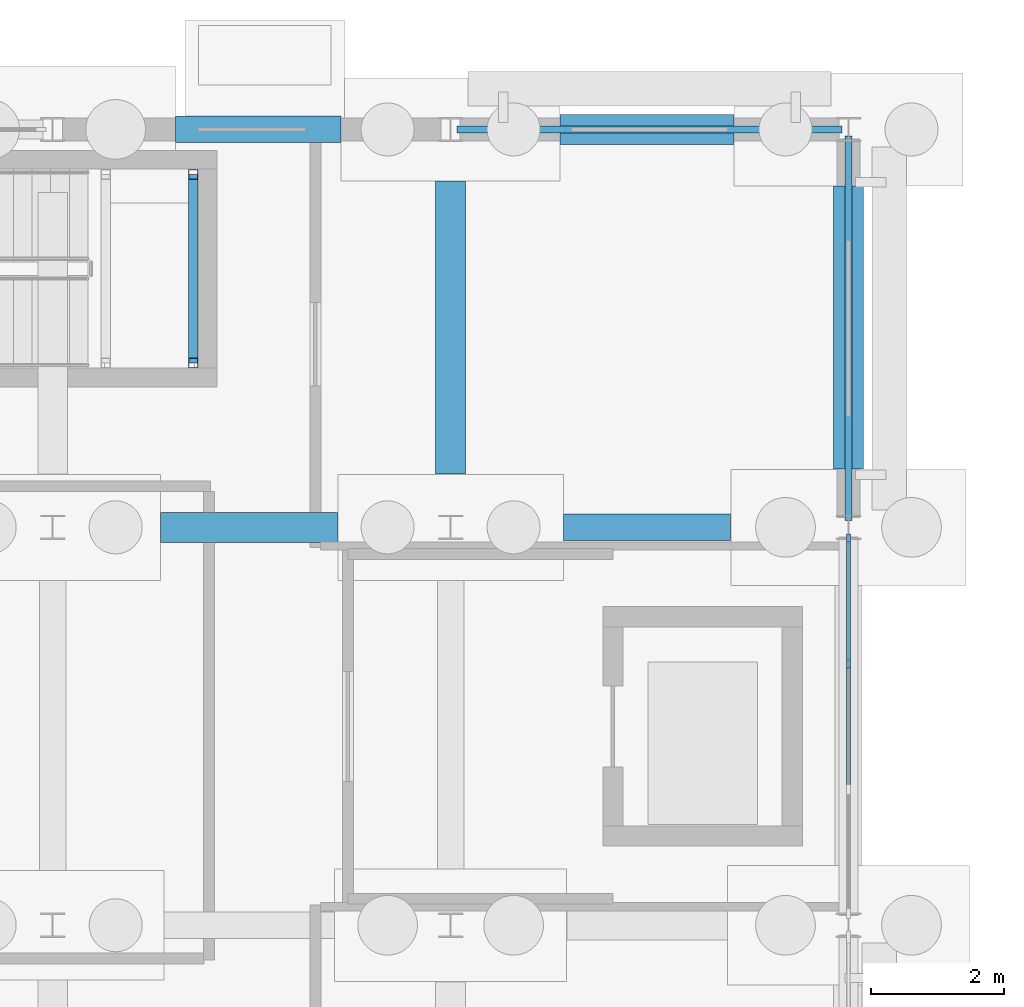
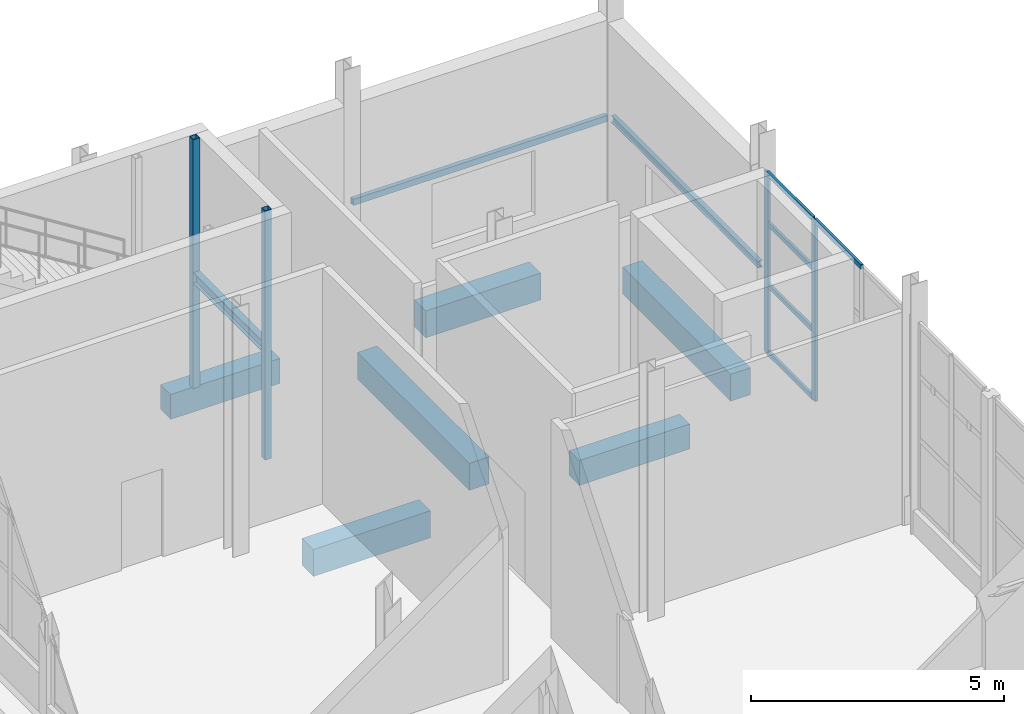
# One storey, part 52 of 120: 9 beams, 9 members, 1 element without a shape of its own.
"""IFC4 building model written with IfcOpenShell, lengths in metres."""

from ifc_helpers import new_model, si_unit, direction, frame, origin, origin_2d, place, context, subcontext, project, spatial, rectangle, hollow_rectangle, i_section, extrude, material, material_profile, profile_set, type_object, element, aggregate, save


model = new_model("IFC4")

# Units and contexts
model_context = context("Model", 3, precision=1e-05, world=origin(), true_north=direction((0.0, 1.0)))
body_context = subcontext(model_context, "Body", "Model", "MODEL_VIEW")
ifc_project = project(units=[si_unit("LENGTHUNIT", "METRE"), si_unit("AREAUNIT", "SQUARE_METRE"), si_unit("VOLUMEUNIT", "CUBIC_METRE"), si_unit("PLANEANGLEUNIT", "RADIAN"), si_unit("MASSUNIT", "GRAM", prefix="KILO")], contexts=[model_context])

# Site, building, storey
site_placement = place(None, origin())
site = spatial("IfcSite", under=ifc_project, at=site_placement, CompositionType="ELEMENT")
building_placement = place(site_placement, origin())
building = spatial("IfcBuilding", under=site, at=building_placement, Name="Siltcreek Boulevard Central Fire Station", CompositionType="ELEMENT")
storey_placement = place(building_placement, origin())
storey = spatial("IfcBuildingStorey", under=building, at=storey_placement, Name="L01", CompositionType="ELEMENT", Elevation=0.0)

# Members
ifc_material_1 = material(Name="Structural steel ASTM A500 GrC", Category="steel")
ifc_material_profile_1 = material_profile(ifc_material_1, hollow_rectangle(XDim=0.14990234375, YDim=0.14990234375, WallThickness=0.008056640625, at=origin_2d()), Name="HSS150X150X8.0")
ifc_profile_set_1 = profile_set([ifc_material_profile_1], Name="Structural steel ASTM A500 GrC")
member_type_1 = type_object("IfcMemberType", Name="BR_HSS150_8", PredefinedType="BRACE", material=ifc_profile_set_1)
for number, where, z_axis, x_axis, name in (
    (1, (50.1201171875, 108.679931640625, 0.0), (0.0, 0.0, 1.0), (1.0, 0.0, 0.0), "L01 ST-V3B stair landing corner post SE"),
    (2, (50.1201171875, 111.52001953125, 0.0), (0.0, 0.0, 1.0), (1.0, 0.0, 0.0), "L01 ST-V3B stair landing corner post NE"),
):
    element("IfcMember", number, at=place(storey_placement, frame(where, z_axis=z_axis, x_axis=x_axis)), inside=storey, type_object=member_type_1, Name=name, PredefinedType="BRACE", context=body_context, shape_type="SweptSolid", body=[
        extrude(hollow_rectangle(XDim=0.14990234375, YDim=0.14990234375, WallThickness=0.008056640625, at=origin_2d()), origin(), (0.0, 0.0, 1.0), 6.0),
    ])

# Curtain wall, members
ifc_material_2 = material(Name="Anodized aluminum and low-E insulated glazing", Category="aluminium")
curtain_wall_type = type_object("IfcCurtainWallType", Name="CW_SYS_04", PredefinedType="USERDEFINED", material=ifc_material_2)
curtain_wall_placement = place(storey_placement, origin())
curtain_wall = element("IfcCurtainWall", 3, at=curtain_wall_placement, inside=storey, type_object=curtain_wall_type, Name="L01 V3 unitised curtain wall CW-033", ObjectType="CURTAIN WALL", PredefinedType="USERDEFINED")
ifc_material_3 = material(Name="Anodized 6063-T6 aluminum framing", Category="aluminium")
ifc_material_profile_2 = material_profile(ifc_material_3, rectangle(XDim=0.06005859375, YDim=0.14990234375, at=origin_2d()), Name="MULL60X150")
ifc_profile_set_2 = profile_set([ifc_material_profile_2], Name="Anodized 6063-T6 aluminum framing")
member_type_2 = type_object("IfcMemberType", Name="CWM_60X150", PredefinedType="MULLION", material=ifc_profile_set_2)
member_1_placement = place(storey_placement, frame((60.0, 104.151611328125, 0.679931640625), z_axis=(0.0, 0.0, 1.0), x_axis=(-1.0, 0.0, 0.0)))
member_1 = element("IfcMember", 4, at=member_1_placement, type_object=member_type_2, Name="CW-033 mullion 3", PredefinedType="MULLION", context=body_context, shape_type="SweptSolid", body=[
    extrude(rectangle(XDim=0.06005859375, YDim=0.14990234375, at=origin_2d()), origin(), (0.0, 0.0, 1.0), 4.364013671875),
])
member_2_placement = place(storey_placement, frame((60.0, 106.02490234375, 0.679931640625), z_axis=(0.0, 0.0, 1.0), x_axis=(-1.0, 0.0, 0.0)))
member_2 = element("IfcMember", 5, at=member_2_placement, type_object=member_type_2, Name="CW-033 mullion 4", PredefinedType="MULLION", context=body_context, shape_type="SweptSolid", body=[
    extrude(rectangle(XDim=0.06005859375, YDim=0.14990234375, at=origin_2d()), origin(), (0.0, 0.0, 1.0), 4.364013671875),
])
ifc_material_profile_3 = material_profile(ifc_material_3, rectangle(XDim=0.06005859375, YDim=0.114990234375, at=origin_2d()), Name="TRAN60X115")
ifc_profile_set_3 = profile_set([ifc_material_profile_3], Name="Anodized 6063-T6 aluminum framing")
member_type_3 = type_object("IfcMemberType", Name="CWT_60X115", PredefinedType="USERDEFINED", material=ifc_profile_set_3)
member_3_placement = place(storey_placement, frame((60.0, 102.2783203125, 5.013916015625), z_axis=(0.0, 1.0, 0.0), x_axis=(-1.0, 0.0, 0.0)))
member_3 = element("IfcMember", 6, at=member_3_placement, type_object=member_type_3, Name="CW-033 transom 2.4", ObjectType="TRANSOM", PredefinedType="USERDEFINED", context=body_context, shape_type="SweptSolid", body=[
    extrude(rectangle(XDim=0.06005859375, YDim=0.114990234375, at=origin_2d()), origin(), (0.0, 0.0, 1.0), 1.84326171875),
])
member_4_placement = place(storey_placement, frame((60.0, 104.181640625, 0.7099609375), z_axis=(0.0, 1.0, 0.0), x_axis=(-1.0, 0.0, 0.0)))
member_4 = element("IfcMember", 7, at=member_4_placement, type_object=member_type_3, Name="CW-033 transom 3.1", ObjectType="TRANSOM", PredefinedType="USERDEFINED", context=body_context, shape_type="SweptSolid", body=[
    extrude(rectangle(XDim=0.06005859375, YDim=0.114990234375, at=origin_2d()), origin(), (0.0, 0.0, 1.0), 1.8134765625),
])
member_5_placement = place(storey_placement, frame((60.0, 104.181640625, 2.33837890625), z_axis=(0.0, 1.0, 0.0), x_axis=(-1.0, 0.0, 0.0)))
member_5 = element("IfcMember", 8, at=member_5_placement, type_object=member_type_3, Name="CW-033 transom 3.2", ObjectType="TRANSOM", PredefinedType="USERDEFINED", context=body_context, shape_type="SweptSolid", body=[
    extrude(rectangle(XDim=0.06005859375, YDim=0.114990234375, at=origin_2d()), origin(), (0.0, 0.0, 1.0), 1.8134765625),
])
member_6_placement = place(storey_placement, frame((60.0, 104.181640625, 3.822021484375), z_axis=(0.0, 1.0, 0.0), x_axis=(-1.0, 0.0, 0.0)))
member_6 = element("IfcMember", 9, at=member_6_placement, type_object=member_type_3, Name="CW-033 transom 3.3", ObjectType="TRANSOM", PredefinedType="USERDEFINED", context=body_context, shape_type="SweptSolid", body=[
    extrude(rectangle(XDim=0.06005859375, YDim=0.114990234375, at=origin_2d()), origin(), (0.0, 0.0, 1.0), 1.8134765625),
])
member_7_placement = place(storey_placement, frame((60.0, 104.181640625, 5.013916015625), z_axis=(0.0, 1.0, 0.0), x_axis=(-1.0, 0.0, 0.0)))
member_7 = element("IfcMember", 10, at=member_7_placement, type_object=member_type_3, Name="CW-033 transom 3.4", ObjectType="TRANSOM", PredefinedType="USERDEFINED", context=body_context, shape_type="SweptSolid", body=[
    extrude(rectangle(XDim=0.06005859375, YDim=0.114990234375, at=origin_2d()), origin(), (0.0, 0.0, 1.0), 1.8134765625),
])
aggregate(curtain_wall, [member_1, member_2, member_3, member_4, member_5, member_6, member_7])

# Beams
ifc_material_4 = material(Name="Concrete C35/45", Category="concrete")
ifc_material_profile_4 = material_profile(ifc_material_4, rectangle(XDim=0.39990234375, YDim=0.60009765625, at=origin_2d()), Name="RC400X600")
ifc_profile_set_4 = profile_set([ifc_material_profile_4], Name="Concrete C35/45")
beam_type_1 = type_object("IfcBeamType", Name="GB_RC400X600", PredefinedType="USERDEFINED", material=ifc_profile_set_4)
beam_1_placement = place(storey_placement, frame((55.701904296875, 106.199951171875, -0.7099609375), z_axis=(1.0, 0.0, 0.0), x_axis=(0.0, 1.0, 0.0)))
element("IfcBeam", 11, at=beam_1_placement, inside=storey, type_object=beam_type_1, Name="Reinforced concrete tie grade beam GB-135", ObjectType="GRADE BEAM", PredefinedType="USERDEFINED", context=body_context, shape_type="SweptSolid", body=[
    extrude(rectangle(XDim=0.39990234375, YDim=0.60009765625, at=origin_2d()), origin(), (0.0, 0.0, 1.0), 2.52099609375),
])
beam_2_placement = place(storey_placement, frame((49.85205078125, 112.199951171875, -0.7099609375), z_axis=(1.0, 0.0, 0.0), x_axis=(0.0, 1.0, 0.0)))
element("IfcBeam", 12, at=beam_2_placement, inside=storey, type_object=beam_type_1, Name="Reinforced concrete tie grade beam GB-137", ObjectType="GRADE BEAM", PredefinedType="USERDEFINED", context=body_context, shape_type="SweptSolid", body=[
    extrude(rectangle(XDim=0.39990234375, YDim=0.60009765625, at=origin_2d()), origin(), (0.0, 0.0, 1.0), 2.495849609375),
])
ifc_material_profile_5 = material_profile(ifc_material_4, rectangle(XDim=0.449951171875, YDim=0.64990234375, at=origin_2d()), Name="RC450X650")
ifc_profile_set_5 = profile_set([ifc_material_profile_5], Name="Concrete C35/45")
beam_type_2 = type_object("IfcBeamType", Name="GB_RC450X650", PredefinedType="USERDEFINED", material=ifc_profile_set_5)
beam_3_placement = place(storey_placement, frame((49.626953125, 106.199951171875, -0.735107421875), z_axis=(1.0, 0.0, 0.0), x_axis=(0.0, 1.0, 0.0)))
element("IfcBeam", 13, at=beam_3_placement, inside=storey, type_object=beam_type_2, Name="Reinforced concrete tie grade beam GB-134", ObjectType="GRADE BEAM", PredefinedType="USERDEFINED", context=body_context, shape_type="SweptSolid", body=[
    extrude(rectangle(XDim=0.449951171875, YDim=0.64990234375, at=origin_2d()), origin(), (0.0, 0.0, 1.0), 2.671142578125),
])
beam_4_placement = place(storey_placement, frame((55.652099609375, 112.199951171875, -0.735107421875), z_axis=(1.0, 0.0, 0.0), x_axis=(0.0, 1.0, 0.0)))
element("IfcBeam", 14, at=beam_4_placement, inside=storey, type_object=beam_type_2, Name="Reinforced concrete tie grade beam GB-138", ObjectType="GRADE BEAM", PredefinedType="USERDEFINED", context=body_context, shape_type="SweptSolid", body=[
    extrude(rectangle(XDim=0.449951171875, YDim=0.64990234375, at=origin_2d()), origin(), (0.0, 0.0, 1.0), 2.620849609375),
])
beam_5_placement = place(storey_placement, frame((54.0, 107.001953125, -0.735107421875), z_axis=(0.0, 1.0, 0.0), x_axis=(-1.0, 0.0, 0.0)))
element("IfcBeam", 15, at=beam_5_placement, inside=storey, type_object=beam_type_2, Name="Reinforced concrete tie grade beam GB-168", ObjectType="GRADE BEAM", PredefinedType="USERDEFINED", context=body_context, shape_type="SweptSolid", body=[
    extrude(rectangle(XDim=0.449951171875, YDim=0.64990234375, at=origin_2d()), origin(), (0.0, 0.0, 1.0), 4.421142578125),
])
beam_6_placement = place(storey_placement, frame((60.0, 107.076904296875, -0.735107421875), z_axis=(0.0, 1.0, 0.0), x_axis=(-1.0, 0.0, 0.0)))
element("IfcBeam", 16, at=beam_6_placement, inside=storey, type_object=beam_type_2, Name="Reinforced concrete tie grade beam GB-176", ObjectType="GRADE BEAM", PredefinedType="USERDEFINED", context=body_context, shape_type="SweptSolid", body=[
    extrude(rectangle(XDim=0.449951171875, YDim=0.64990234375, at=origin_2d()), origin(), (0.0, 0.0, 1.0), 4.27099609375),
])
ifc_material_5 = material(Name="Structural steel ASTM A992 Gr50", Category="steel")
ifc_material_profile_6 = material_profile(ifc_material_5, i_section(OverallWidth=0.14697265625, OverallDepth=0.261962890625, WebThickness=0.006591796875, FlangeThickness=0.01123046875, at=origin_2d()), Name="W250X39")
ifc_profile_set_6 = profile_set([ifc_material_profile_6], Name="Structural steel ASTM A992 Gr50")
beam_type_3 = type_object("IfcBeamType", Name="JST_W250X39", PredefinedType="JOIST", material=ifc_profile_set_6)
beam_7_placement = place(storey_placement, frame((50.1201171875, 108.679931640625, 2.6689453125), z_axis=(0.0, 1.0, 0.0), x_axis=(-1.0, 0.0, 0.0)))
element("IfcBeam", 17, at=beam_7_placement, inside=storey, type_object=beam_type_3, Name="L01 ST-V3B stair landing bearer MIDE", PredefinedType="JOIST", context=body_context, shape_type="SweptSolid", body=[
    extrude(i_section(OverallWidth=0.14697265625, OverallDepth=0.261962890625, WebThickness=0.006591796875, FlangeThickness=0.01123046875, at=origin_2d()), origin(), (0.0, 0.0, 1.0), 2.840087890625),
])
ifc_material_profile_7 = material_profile(ifc_material_1, hollow_rectangle(XDim=0.10009765625, YDim=0.14990234375, WallThickness=0.00634765625, at=origin_2d()), Name="HSS150X100X6.4")
ifc_profile_set_7 = profile_set([ifc_material_profile_7], Name="Structural steel ASTM A500 GrC")
beam_type_4 = type_object("IfcBeamType", Name="LIN_HSS150X100", PredefinedType="LINTEL", material=ifc_profile_set_7)
beam_8_placement = place(storey_placement, frame((59.89990234375, 112.199951171875, 2.639892578125), z_axis=(-1.0, 0.0, 0.0), x_axis=(0.0, -1.0, 0.0)))
element("IfcBeam", 18, at=beam_8_placement, inside=storey, type_object=beam_type_4, Name="Exterior window steel lintel WLN-17", PredefinedType="LINTEL", context=body_context, shape_type="SweptSolid", body=[
    extrude(hollow_rectangle(XDim=0.10009765625, YDim=0.14990234375, WallThickness=0.00634765625, at=origin_2d()), origin(), (0.0, 0.0, 1.0), 5.7998046875),
])
ifc_material_profile_8 = material_profile(ifc_material_5, i_section(OverallWidth=0.10205078125, OverallDepth=0.159912109375, WebThickness=0.006591796875, FlangeThickness=0.01025390625, at=origin_2d()), Name="W150X24")
ifc_profile_set_8 = profile_set([ifc_material_profile_8], Name="Structural steel ASTM A992 Gr50")
beam_type_5 = type_object("IfcBeamType", Name="LIN_W150X24", PredefinedType="LINTEL", material=ifc_profile_set_8)
beam_9_placement = place(storey_placement, frame((60.0, 106.300048828125, 2.639892578125), z_axis=(0.0, 1.0, 0.0), x_axis=(-1.0, 0.0, 0.0)))
element("IfcBeam", 19, at=beam_9_placement, inside=storey, type_object=beam_type_5, Name="Exterior window steel lintel WLN-18", PredefinedType="LINTEL", context=body_context, shape_type="SweptSolid", body=[
    extrude(i_section(OverallWidth=0.10205078125, OverallDepth=0.159912109375, WebThickness=0.006591796875, FlangeThickness=0.01025390625, at=origin_2d()), origin(), (0.0, 0.0, 1.0), 5.800048828125),
])

save(model, "model.ifc")
